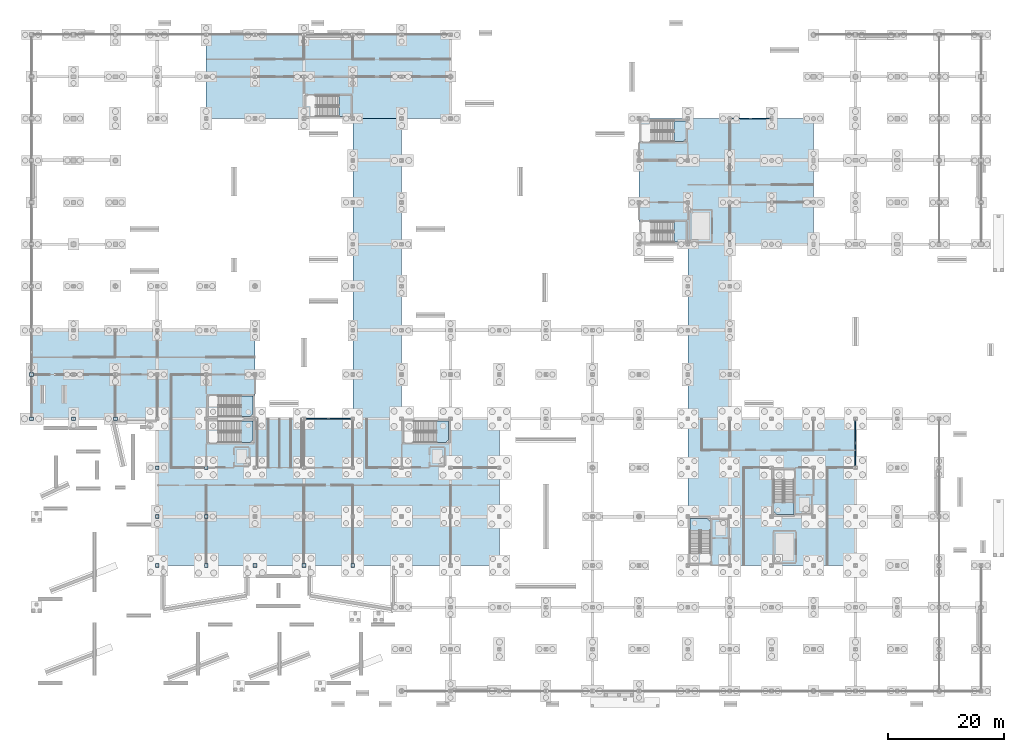
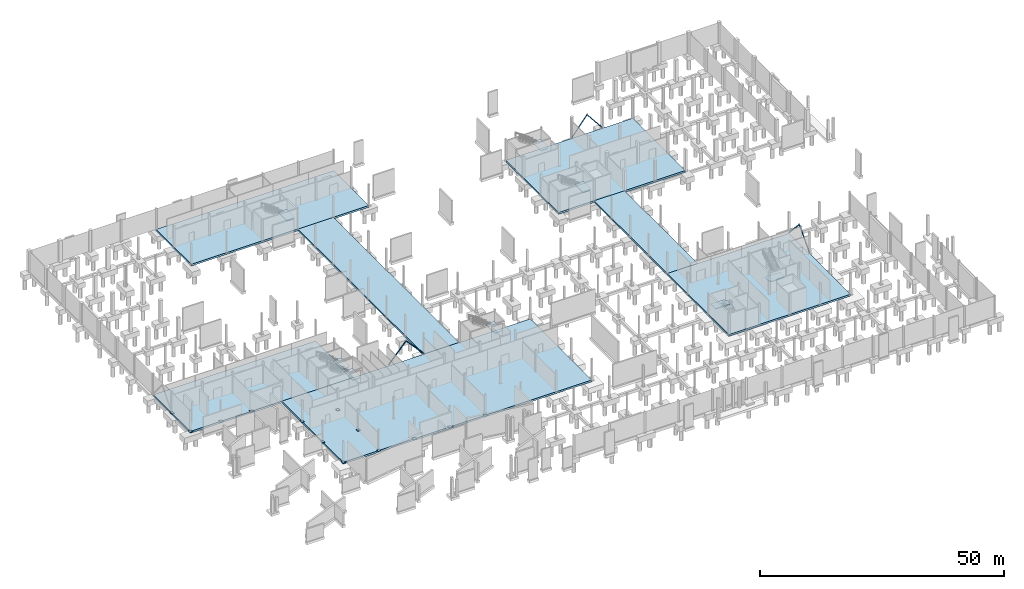
# One storey, part 33 of 61: 15 slabs, 13 plates, 6 members, 8 elements without a shape of their own.
"""IFC4 building model written with IfcOpenShell, lengths in metres."""

import ifcopenshell
import ifcopenshell.guid

model = None  # the IFC model being written
_history = None  # IfcOwnerHistory: only IFC2X3 demands one
_inside = {}  # id of a spatial element -> (the spatial element, [elements in it])
_under = {}  # id of a project, library or spatial element -> (it, [spatial elements below it])
_declared = {}  # id of a project -> (the project, [libraries it declares])
_typed = {}  # id of a type object -> (the type object, [elements of that type])
_made_of = {}  # id of a material, layer set ... -> (it, [elements and type objects made of it])


def new_model(schema):
    """Start an empty IFC model of exactly this schema.

    Asked for "IFC4X3", IfcOpenShell would pick the latest addendum, in which some entities
    have other attributes; the version numbers below select the first issue.
    IFC2X3 requires an IfcOwnerHistory on every rooted entity: one is made here for all.
    """
    global model, _history
    if schema == "IFC4X3":
        model = ifcopenshell.file(schema_version=(4, 3, 0, 0))
    else:
        model = ifcopenshell.file(schema=schema)
    _inside.clear()
    _under.clear()
    _declared.clear()
    _typed.clear()
    _made_of.clear()
    _history = None
    if model.schema == "IFC2X3":
        org = make("IfcOrganization", Name="unknown")
        user = make(
            "IfcPersonAndOrganization",
            ThePerson=make("IfcPerson", FamilyName="unknown"),
            TheOrganization=org,
        )
        app = make(
            "IfcApplication",
            ApplicationDeveloper=org,
            Version="unknown",
            ApplicationFullName="unknown",
            ApplicationIdentifier="unknown",
        )
        _history = make(
            "IfcOwnerHistory",
            OwningUser=user,
            OwningApplication=app,
            ChangeAction="ADDED",
            CreationDate=0,
        )
    return model


def make(cls, **values):
    """One entity of the class cls with the attributes given. An attribute that is None is left unset."""
    return model.create_entity(
        cls, **{name: value for name, value in values.items() if value is not None}
    )


def rooted(cls, **values):
    """An entity with a GlobalId (a new one), such as an element, a storey or a relation."""
    return make(cls, GlobalId=ifcopenshell.guid.new(), OwnerHistory=_history, **values)


def si_unit(unit_type, name, prefix=None):
    """IfcSIUnit, for example si_unit("LENGTHUNIT", "METRE", prefix="MILLI")."""
    return make("IfcSIUnit", UnitType=unit_type, Prefix=prefix, Name=name)


def assignment(units):
    """IfcUnitAssignment: the units of a project."""
    return None if units is None else make("IfcUnitAssignment", Units=units)


def point(xyz):
    """IfcCartesianPoint."""
    return None if xyz is None else make("IfcCartesianPoint", Coordinates=xyz)


def direction(xyz):
    """IfcDirection."""
    return None if xyz is None else make("IfcDirection", DirectionRatios=xyz)


def frame(location, z_axis=None, x_axis=None):
    """IfcAxis2Placement3D, a coordinate frame: its origin and axes. An axis left out is left unset."""
    return make(
        "IfcAxis2Placement3D",
        Location=point(location),
        Axis=direction(z_axis),
        RefDirection=direction(x_axis),
    )


def frame_2d(location, x_axis=None):
    """IfcAxis2Placement2D, a coordinate frame in the plane: its origin and x axis."""
    return make(
        "IfcAxis2Placement2D", Location=point(location), RefDirection=direction(x_axis)
    )


def origin():
    """The frame at (0, 0, 0) with its axes left unset."""
    return frame((0.0, 0.0, 0.0))


def origin_2d():
    """The frame at (0, 0) in the plane with its x axis left unset."""
    return frame_2d((0.0, 0.0))


def place(relative_to, where):
    """IfcLocalPlacement: puts the frame where relative to a parent placement (None: the world)."""
    return make(
        "IfcLocalPlacement", PlacementRelTo=relative_to, RelativePlacement=where
    )


def context(
    kind, dimensions, precision=None, world=None, true_north=None, identifier=None
):
    """IfcGeometricRepresentationContext, for example the 3D "Model" context."""
    return make(
        "IfcGeometricRepresentationContext",
        ContextIdentifier=identifier,
        ContextType=kind,
        CoordinateSpaceDimension=dimensions,
        Precision=precision,
        WorldCoordinateSystem=world,
        TrueNorth=true_north,
    )


def subcontext(parent, identifier, kind, view, scale=None):
    """IfcGeometricRepresentationSubContext, for example "Body" below "Model"."""
    return make(
        "IfcGeometricRepresentationSubContext",
        ContextIdentifier=identifier,
        ContextType=kind,
        ParentContext=parent,
        TargetScale=scale,
        TargetView=view,
    )


def project(units=None, contexts=None):
    """IfcProject with its units and contexts."""
    return rooted(
        "IfcProject",
        Name="project",
        RepresentationContexts=contexts,
        UnitsInContext=assignment(units),
    )


def spatial(cls, under=None, at=None, **own):
    """A site, building, storey or space (cls), placed at a placement, below another one or the project."""
    s = rooted(cls, ObjectPlacement=at, **own)
    if under is not None:
        _under.setdefault(under.id(), (under, []))[1].append(s)
    return s


def polyline(points):
    """IfcPolyline through the points."""
    return make("IfcPolyline", Points=[point(p) for p in points])


def profile(cls, at=None, kind="AREA", **sizes):
    """A parametric profile (cls). Its sizes go by their IFC names, for example OverallWidth=200.0."""
    return make(cls, ProfileType=kind, Position=at, **sizes)


def rectangle(**sizes):
    """IfcRectangleProfileDef."""
    return profile("IfcRectangleProfileDef", **sizes)


def hollow_circle(**sizes):
    """IfcCircleHollowProfileDef."""
    return profile("IfcCircleHollowProfileDef", **sizes)


def outline(outer, holes=None, kind="AREA"):
    """IfcArbitraryClosedProfileDef: a profile drawn as a closed curve; with holes, ...WithVoids."""
    if holes is None:
        return make("IfcArbitraryClosedProfileDef", ProfileType=kind, OuterCurve=outer)
    return make(
        "IfcArbitraryProfileDefWithVoids",
        ProfileType=kind,
        OuterCurve=outer,
        InnerCurves=holes,
    )


def extrude(swept, where, along, depth):
    """IfcExtrudedAreaSolid: the profile swept, set in the frame where, extruded along a direction by depth."""
    return make(
        "IfcExtrudedAreaSolid",
        SweptArea=swept,
        Position=where,
        ExtrudedDirection=direction(along),
        Depth=depth,
    )


def shape(context_of_items, identifier, shape_type, items):
    """IfcShapeRepresentation: the items that make up one representation, for example the "Body"."""
    return make(
        "IfcShapeRepresentation",
        ContextOfItems=context_of_items,
        RepresentationIdentifier=identifier,
        RepresentationType=shape_type,
        Items=items,
    )


def material(Name=None, Category=None):
    """IfcMaterial."""
    return make("IfcMaterial", Name=Name, Category=Category)


def layer(
    of_material, thickness, ventilated=None, Name=None, Category=None, Priority=None
):
    """IfcMaterialLayer: one layer of a wall or slab, of a material (None: an air gap)."""
    return make(
        "IfcMaterialLayer",
        Material=of_material,
        LayerThickness=thickness,
        IsVentilated=ventilated,
        Name=Name,
        Category=Category,
        Priority=Priority,
    )


def layer_set(layers, Name=None):
    """IfcMaterialLayerSet."""
    return make("IfcMaterialLayerSet", MaterialLayers=layers, LayerSetName=Name)


def material_profile(
    of_material, cross_section, Name=None, Category=None, Priority=None
):
    """IfcMaterialProfile: a cross section and its material."""
    return make(
        "IfcMaterialProfile",
        Name=Name,
        Material=of_material,
        Profile=cross_section,
        Priority=Priority,
        Category=Category,
    )


def profile_set(profiles, Name=None, composite=None):
    """IfcMaterialProfileSet."""
    return make(
        "IfcMaterialProfileSet",
        Name=Name,
        MaterialProfiles=profiles,
        CompositeProfile=composite,
    )


def made_of(thing, what):
    """Note that an element or type object is made of a material, layer set ...; save() writes the relation."""
    if what is not None:
        _made_of.setdefault(what.id(), (what, []))[1].append(thing)
    return thing


def type_object(cls, material=None, **own):
    """A type object (cls), such as IfcWallType, which elements share."""
    return made_of(rooted(cls, **own), material)


def element(
    cls,
    number,
    at=None,
    inside=None,
    cuts=None,
    type_object=None,
    material=None,
    context=None,
    identifier="Body",
    shape_type=None,
    held_by="IfcProductDefinitionShape",
    body=None,
    shapes=None,
    **own,
):
    """One element of the class cls, such as IfcWall. Its Tag is "e" and its number.

    at: its placement. inside: the storey or other place that contains it. cuts: it is an
    opening in that element (IfcRelVoidsElement). A single representation is given by context,
    identifier, shape_type and body (its items); several are given by shapes. held_by: the class
    of the entity that holds the representations. save() writes the other relations.
    """
    e = rooted(cls, Tag="e%d" % number, ObjectPlacement=at, **own)
    if body is not None:
        shapes = [shape(context, identifier, shape_type, body)]
    if shapes is not None:
        e.Representation = make(held_by, Representations=shapes)
    if inside is not None:
        _inside.setdefault(inside.id(), (inside, []))[1].append(e)
    if cuts is not None:
        rooted(
            "IfcRelVoidsElement", RelatingBuildingElement=cuts, RelatedOpeningElement=e
        )
    if type_object is not None:
        _typed.setdefault(type_object.id(), (type_object, []))[1].append(e)
    return made_of(e, material)


def aggregate(whole, parts):
    """IfcRelAggregates: a whole, such as a stair, and the parts it consists of."""
    return rooted("IfcRelAggregates", RelatingObject=whole, RelatedObjects=parts)


def save(model, path):
    """Write the relations noted so far, then the file.

    IfcRelAggregates (storeys below a building ...), IfcRelContainedInSpatialStructure (elements
    in a storey), IfcRelDefinesByType, IfcRelAssociatesMaterial and IfcRelDeclares: one each for
    every whole, place, type object, material and project.
    """
    for whole, parts in _under.values():
        aggregate(whole, parts)
    for where, things in _inside.values():
        rooted(
            "IfcRelContainedInSpatialStructure",
            RelatedElements=things,
            RelatingStructure=where,
        )
    for kind, things in _typed.values():
        rooted("IfcRelDefinesByType", RelatedObjects=things, RelatingType=kind)
    for what, things in _made_of.values():
        rooted("IfcRelAssociatesMaterial", RelatedObjects=things, RelatingMaterial=what)
    for by, libraries in _declared.values():
        rooted("IfcRelDeclares", RelatingContext=by, RelatedDefinitions=libraries)
    model.write(path)


model = new_model("IFC4")

# Units and contexts
model_context = context("Model", 3, precision=1e-05, world=origin(), true_north=direction((0.0, 1.0)))
body_context = subcontext(model_context, "Body", "Model", "MODEL_VIEW")
ifc_project = project(units=[si_unit("LENGTHUNIT", "METRE"), si_unit("AREAUNIT", "SQUARE_METRE"), si_unit("VOLUMEUNIT", "CUBIC_METRE"), si_unit("PLANEANGLEUNIT", "RADIAN"), si_unit("MASSUNIT", "GRAM", prefix="KILO")], contexts=[model_context])

# Site, building, storey
site_placement = place(None, origin())
site = spatial("IfcSite", under=ifc_project, at=site_placement, CompositionType="ELEMENT")
building_placement = place(site_placement, origin())
building = spatial("IfcBuilding", under=site, at=building_placement, Name="Calvrana Isthmian Art Gallery", CompositionType="ELEMENT")
storey_placement = place(building_placement, frame((0.0, 0.0, -5.39990234375)))
storey = spatial("IfcBuildingStorey", under=building, at=storey_placement, Name="B1", CompositionType="ELEMENT", Elevation=-5.39990234375)

# Members
ifc_material_1 = material(Name="Steel ASTM A500 Gr C", Category="steel")
ifc_material_profile_1 = material_profile(ifc_material_1, hollow_circle(Radius=0.109619140625, WallThickness=0.0126953125, at=origin_2d()), Name="HSS219.1X12.7")
ifc_profile_set_1 = profile_set([ifc_material_profile_1], Name="Steel ASTM A500 Gr C")
member_type_1 = type_object("IfcMemberType", Name="MB-BR-CHS219", PredefinedType="BRACE", material=ifc_profile_set_1)
member_1_placement = place(storey_placement, frame((120.0, 98.39990234375, 0.14990234375), z_axis=(0.623941386393, 0.0, 0.781471142363), x_axis=(0.0, 1.0, 0.0)))
element("IfcMember", 1, at=member_1_placement, inside=storey, type_object=member_type_1, Name="Chevron lateral brace B1-12A", PredefinedType="BRACE", context=body_context, shape_type="SweptSolid", body=[
    extrude(hollow_circle(Radius=0.109619140625, WallThickness=0.0126953125, at=origin_2d()), origin(), (0.0, 0.0, 1.0), 5.77001953125),
])
member_2_placement = place(storey_placement, frame((127.199951171875, 98.39990234375, 0.14990234375), z_axis=(-0.623915545194, 0.0, 0.781491773767), x_axis=(0.0, -1.0, 0.0)))
element("IfcMember", 2, at=member_2_placement, inside=storey, type_object=member_type_1, Name="Chevron lateral brace B1-12B", PredefinedType="BRACE", context=body_context, shape_type="SweptSolid", body=[
    extrude(hollow_circle(Radius=0.109619140625, WallThickness=0.0126953125, at=origin_2d()), origin(), (0.0, 0.0, 1.0), 5.769775390625),
])
ifc_material_profile_2 = material_profile(ifc_material_1, hollow_circle(Radius=0.136474609375, WallThickness=0.0126953125, at=origin_2d()), Name="HSS273.1X12.7")
ifc_profile_set_2 = profile_set([ifc_material_profile_2], Name="Steel ASTM A500 Gr C")
member_type_2 = type_object("IfcMemberType", Name="MB-BR-CHS273", PredefinedType="BRACE", material=ifc_profile_set_2)
for number, where, z_axis, x_axis, name in (
    (3, (46.800048828125, 46.800048828125, 0.14990234375), (0.669960332586, 0.0, 0.742396897058), (0.0, 1.0, 0.0), "Chevron lateral brace B1-1A"),
    (4, (55.199951171875, 46.800048828125, 0.14990234375), (-0.669960332586, 0.0, 0.742396897058), (0.0, -1.0, 0.0), "Chevron lateral brace B1-1B"),
):
    element("IfcMember", number, at=place(storey_placement, frame(where, z_axis=z_axis, x_axis=x_axis)), inside=storey, type_object=member_type_2, Name=name, PredefinedType="BRACE", context=body_context, shape_type="SweptSolid", body=[
        extrude(hollow_circle(Radius=0.136474609375, WallThickness=0.0126953125, at=origin_2d()), origin(), (0.0, 0.0, 1.0), 6.26904296875),
    ])
for number, where, z_axis, x_axis, name in (
    (5, (141.60009765625, 38.39990234375, 0.14990234375), (0.0, 0.675959449603, 0.73693881869), (-1.0, 0.0, 0.0), "Chevron lateral brace B1-6A"),
    (6, (141.60009765625, 46.800048828125, 0.14990234375), (0.0, -0.675938110735, 0.736958391265), (1.0, 0.0, 0.0), "Chevron lateral brace B1-6B"),
):
    element("IfcMember", number, at=place(storey_placement, frame(where, z_axis=z_axis, x_axis=x_axis)), inside=storey, type_object=member_type_2, Name=name, PredefinedType="BRACE", context=body_context, shape_type="SweptSolid", body=[
        extrude(hollow_circle(Radius=0.136474609375, WallThickness=0.0126953125, at=origin_2d()), origin(), (0.0, 0.0, 1.0), 6.213623046875),
    ])

# Plates
ifc_material_2 = material(Name="Steel ASTM A572 Gr 50", Category="steel")
ifc_layer_1 = layer(ifc_material_2, 0.0380859375, Name="Steel ASTM A572 Gr 50")
ifc_layer_set_1 = layer_set([ifc_layer_1], Name="Steel ASTM A572 Gr 50")
plate_type_1 = type_object("IfcPlateType", Name="PL-BASE-38", PredefinedType="USERDEFINED", material=ifc_layer_set_1)
for number, where, z_axis, x_axis, name in (
    (7, (0.0, 46.800048828125, -0.000244140625), (0.0, 0.0, 1.0), (1.0, 0.0, 0.0), "Base plate 01/G"),
    (8, (0.0, 54.39990234375, -0.000244140625), (0.0, 0.0, 1.0), (1.0, 0.0, 0.0), "Base plate 01/H"),
    (9, (7.199951171875, 46.800048828125, -0.000244140625), (0.0, 0.0, 1.0), (1.0, 0.0, 0.0), "Base plate 02/G"),
    (10, (14.39990234375, 46.800048828125, -0.000244140625), (0.0, 0.0, 1.0), (1.0, 0.0, 0.0), "Base plate 03/G"),
):
    element("IfcPlate", number, at=place(storey_placement, frame(where, z_axis=z_axis, x_axis=x_axis)), inside=storey, type_object=plate_type_1, Name=name, ObjectType="BASE PLATE", PredefinedType="USERDEFINED", context=body_context, shape_type="SweptSolid", body=[
        extrude(rectangle(XDim=0.64990234375, YDim=0.64990234375, at=origin_2d()), origin(), (0.0, 0.0, 1.0), 0.0380859375),
    ])
ifc_layer_2 = layer(ifc_material_2, 0.044921875, Name="Steel ASTM A572 Gr 50")
ifc_layer_set_2 = layer_set([ifc_layer_2], Name="Steel ASTM A572 Gr 50")
plate_type_2 = type_object("IfcPlateType", Name="PL-BASE-45", PredefinedType="USERDEFINED", material=ifc_layer_set_2)
for number, where, z_axis, x_axis, name in (
    (11, (21.60009765625, 21.60009765625, 0.0), (0.0, 0.0, 1.0), (1.0, 0.0, 0.0), "Base plate 04/D"),
    (12, (21.60009765625, 30.0, 0.0), (0.0, 0.0, 1.0), (1.0, 0.0, 0.0), "Base plate 04/E"),
    (13, (21.60009765625, 38.39990234375, 0.0), (0.0, 0.0, 1.0), (1.0, 0.0, 0.0), "Base plate 04/F"),
    (14, (30.0, 21.60009765625, 0.0), (0.0, 0.0, 1.0), (1.0, 0.0, 0.0), "Base plate 05/D"),
    (15, (30.0, 30.0, 0.0), (0.0, 0.0, 1.0), (1.0, 0.0, 0.0), "Base plate 05/E"),
    (16, (30.0, 38.39990234375, 0.0), (0.0, 0.0, 1.0), (1.0, 0.0, 0.0), "Base plate 05/F"),
    (17, (38.39990234375, 21.60009765625, 0.0), (0.0, 0.0, 1.0), (1.0, 0.0, 0.0), "Base plate 06/D"),
    (18, (46.800048828125, 21.60009765625, 0.0), (0.0, 0.0, 1.0), (1.0, 0.0, 0.0), "Base plate 07/D"),
    (19, (55.199951171875, 21.60009765625, 0.0), (0.0, 0.0, 1.0), (1.0, 0.0, 0.0), "Base plate 08/D"),
):
    element("IfcPlate", number, at=place(storey_placement, frame(where, z_axis=z_axis, x_axis=x_axis)), inside=storey, type_object=plate_type_2, Name=name, ObjectType="BASE PLATE", PredefinedType="USERDEFINED", context=body_context, shape_type="SweptSolid", body=[
        extrude(rectangle(XDim=0.64990234375, YDim=0.64990234375, at=origin_2d()), origin(), (0.0, 0.0, 1.0), 0.044921875),
    ])

# Slabs
ifc_material_3 = material(Name="Concrete C35/45", Category="concrete")
ifc_layer_3 = layer(ifc_material_3, 0.449951171875, Name="Concrete C35/45")
ifc_layer_set_3 = layer_set([ifc_layer_3], Name="Concrete C35/45")
slab_type_1 = type_object("IfcSlabType", Name="SLB-BASE-450", PredefinedType="BASESLAB", material=ifc_layer_set_3)
slab_1_placement = place(storey_placement, frame((0.0, 0.0, -0.4501953125)))
element("IfcSlab", 20, at=slab_1_placement, inside=storey, type_object=slab_type_1, Name="Floor slab V1_B1", PredefinedType="BASESLAB", context=body_context, shape_type="SweptSolid", body=[
    extrude(outline(polyline([(21.60009765625, 21.60009765625), (80.39990234375, 21.60009765625), (80.39990234375, 46.800048828125), (21.60009765625, 46.800048828125), (21.60009765625, 21.60009765625)])), origin(), (0.0, 0.0, 1.0), 0.4501953125),
])
slab_2_placement = place(storey_placement, frame((0.0, 0.0, -0.4501953125)))
element("IfcSlab", 21, at=slab_2_placement, inside=storey, type_object=slab_type_1, Name="Floor slab V3_B1", PredefinedType="BASESLAB", context=body_context, shape_type="SweptSolid", body=[
    extrude(outline(polyline([(0.0, 46.800048828125), (38.39990234375, 46.800048828125), (38.39990234375, 62.0), (0.0, 62.0), (0.0, 46.800048828125)])), origin(), (0.0, 0.0, 1.0), 0.4501953125),
])
slab_3_placement = place(storey_placement, frame((0.0, 0.0, -0.4501953125)))
element("IfcSlab", 22, at=slab_3_placement, inside=storey, type_object=slab_type_1, Name="Floor slab V4_B1", PredefinedType="BASESLAB", context=body_context, shape_type="SweptSolid", body=[
    extrude(outline(polyline([(112.800048828125, 21.60009765625), (141.60009765625, 21.60009765625), (141.60009765625, 46.800048828125), (112.800048828125, 46.800048828125), (112.800048828125, 21.60009765625)])), origin(), (0.0, 0.0, 1.0), 0.4501953125),
])
slab_4_placement = place(storey_placement, frame((0.0, 0.0, -0.4501953125)))
element("IfcSlab", 23, at=slab_4_placement, inside=storey, type_object=slab_type_1, Name="Floor slab V5L_B1", PredefinedType="BASESLAB", context=body_context, shape_type="SweptSolid", body=[
    extrude(outline(polyline([(112.800048828125, 46.800048828125), (120.0, 46.800048828125), (120.0, 76.800048828125), (112.800048828125, 76.800048828125), (112.800048828125, 46.800048828125)])), origin(), (0.0, 0.0, 1.0), 0.4501953125),
])
slab_5_placement = place(storey_placement, frame((0.0, 0.0, -0.4501953125)))
element("IfcSlab", 24, at=slab_5_placement, inside=storey, type_object=slab_type_1, Name="Floor slab V5_B1", PredefinedType="BASESLAB", context=body_context, shape_type="SweptSolid", body=[
    extrude(outline(polyline([(104.39990234375, 76.800048828125), (134.39990234375, 76.800048828125), (134.39990234375, 98.39990234375), (104.39990234375, 98.39990234375), (104.39990234375, 76.800048828125)])), origin(), (0.0, 0.0, 1.0), 0.4501953125),
])
slab_6_placement = place(storey_placement, frame((0.0, 0.0, -0.4501953125)))
element("IfcSlab", 25, at=slab_6_placement, inside=storey, type_object=slab_type_1, Name="Floor slab V6L_B1", PredefinedType="BASESLAB", context=body_context, shape_type="SweptSolid", body=[
    extrude(outline(polyline([(55.199951171875, 46.800048828125), (63.60009765625, 46.800048828125), (63.60009765625, 98.39990234375), (55.199951171875, 98.39990234375), (55.199951171875, 46.800048828125)])), origin(), (0.0, 0.0, 1.0), 0.4501953125),
])
slab_7_placement = place(storey_placement, frame((0.0, 0.0, -0.4501953125)))
element("IfcSlab", 26, at=slab_7_placement, inside=storey, type_object=slab_type_1, Name="Floor slab V6_B1", PredefinedType="BASESLAB", context=body_context, shape_type="SweptSolid", body=[
    extrude(outline(polyline([(30.0, 98.39990234375), (72.0, 98.39990234375), (72.0, 112.800048828125), (30.0, 112.800048828125), (30.0, 98.39990234375)])), origin(), (0.0, 0.0, 1.0), 0.4501953125),
])

# Stair, slab
ifc_material_4 = material(Name="Concrete C40/50", Category="concrete")
stair_type_1 = type_object("IfcStairType", Name="STR-HT-540W", PredefinedType="HALF_TURN_STAIR", material=ifc_material_4)
stair_1_placement = place(storey_placement, origin())
stair_1 = element("IfcStair", 27, at=stair_1_placement, inside=storey, type_object=stair_type_1, Name="Protected exit stair ST-1 (B1)", PredefinedType="HALF_TURN_STAIR")
ifc_layer_4 = layer(ifc_material_4, 0.199951171875, Name="Concrete C40/50")
ifc_layer_set_4 = layer_set([ifc_layer_4], Name="Concrete C40/50")
slab_type_2 = type_object("IfcSlabType", Name="SLB-LAND-200", PredefinedType="LANDING", material=ifc_layer_set_4)
slab_8_placement = place(storey_placement, frame((0.0, 0.0, 2.5)))
slab_8 = element("IfcSlab", 28, at=slab_8_placement, type_object=slab_type_2, Name="ST-1 landing 1", PredefinedType="LANDING", context=body_context, shape_type="SweptSolid", body=[
    extrude(outline(polyline([(36.02001953125, 42.7099609375), (37.5400390625, 42.7099609375), (38.06005859375, 43.22998046875), (38.06005859375, 46.429931640625), (36.02001953125, 46.429931640625), (36.02001953125, 42.7099609375)])), origin(), (0.0, 0.0, 1.0), 0.199951171875),
])
aggregate(stair_1, [slab_8])

stair_2_placement = place(storey_placement, origin())
stair_2 = element("IfcStair", 29, at=stair_2_placement, inside=storey, type_object=stair_type_1, Name="Protected exit stair ST-2 (B1)", PredefinedType="HALF_TURN_STAIR")
slab_9_placement = place(storey_placement, frame((0.0, 0.0, 2.5)))
slab_9 = element("IfcSlab", 30, at=slab_9_placement, type_object=slab_type_2, Name="ST-2 landing 1", PredefinedType="LANDING", context=body_context, shape_type="SweptSolid", body=[
    extrude(outline(polyline([(69.6201171875, 42.7099609375), (71.139892578125, 42.7099609375), (71.659912109375, 43.22998046875), (71.659912109375, 46.429931640625), (69.6201171875, 46.429931640625), (69.6201171875, 42.7099609375)])), origin(), (0.0, 0.0, 1.0), 0.199951171875),
])
aggregate(stair_2, [slab_9])

stair_type_2 = type_object("IfcStairType", Name="STR-HT-540", PredefinedType="HALF_TURN_STAIR", material=ifc_material_4)
stair_3_placement = place(storey_placement, origin())
stair_3 = element("IfcStair", 31, at=stair_3_placement, inside=storey, type_object=stair_type_2, Name="Protected exit stair ST-3 (B1)", PredefinedType="HALF_TURN_STAIR")
slab_10_placement = place(storey_placement, frame((0.0, 0.0, 2.5)))
slab_10 = element("IfcSlab", 32, at=slab_10_placement, type_object=slab_type_2, Name="ST-3 landing 1", PredefinedType="LANDING", context=body_context, shape_type="SweptSolid", body=[
    extrude(outline(polyline([(116.68994140625, 27.6201171875), (116.68994140625, 29.139892578125), (116.169921875, 29.659912109375), (113.169921875, 29.659912109375), (113.169921875, 27.6201171875), (116.68994140625, 27.6201171875)])), origin(), (0.0, 0.0, 1.0), 0.199951171875),
])
aggregate(stair_3, [slab_10])

stair_4_placement = place(storey_placement, origin())
stair_4 = element("IfcStair", 33, at=stair_4_placement, inside=storey, type_object=stair_type_2, Name="Protected exit stair ST-4 (B1)", PredefinedType="HALF_TURN_STAIR")
slab_11_placement = place(storey_placement, frame((0.0, 0.0, 2.5)))
slab_11 = element("IfcSlab", 34, at=slab_11_placement, type_object=slab_type_2, Name="ST-4 landing 1", PredefinedType="LANDING", context=body_context, shape_type="SweptSolid", body=[
    extrude(outline(polyline([(127.550048828125, 32.3798828125), (127.550048828125, 30.860107421875), (128.070068359375, 30.340087890625), (131.070068359375, 30.340087890625), (131.070068359375, 32.3798828125), (127.550048828125, 32.3798828125)])), origin(), (0.0, 0.0, 1.0), 0.199951171875),
])
aggregate(stair_4, [slab_11])

stair_5_placement = place(storey_placement, origin())
stair_5 = element("IfcStair", 35, at=stair_5_placement, inside=storey, type_object=stair_type_2, Name="Protected exit stair ST-5 (B1)", PredefinedType="HALF_TURN_STAIR")
slab_12_placement = place(storey_placement, frame((0.0, 0.0, 2.5)))
slab_12 = element("IfcSlab", 36, at=slab_12_placement, type_object=slab_type_2, Name="ST-5 landing 1", PredefinedType="LANDING", context=body_context, shape_type="SweptSolid", body=[
    extrude(outline(polyline([(110.419921875, 77.14990234375), (111.93994140625, 77.14990234375), (112.4599609375, 77.669921875), (112.4599609375, 80.669921875), (110.419921875, 80.669921875), (110.419921875, 77.14990234375)])), origin(), (0.0, 0.0, 1.0), 0.199951171875),
])
aggregate(stair_5, [slab_12])

stair_type_3 = type_object("IfcStairType", Name="STR-TSR-540", PredefinedType="TWO_STRAIGHT_RUN_STAIR", material=ifc_material_4)
stair_6_placement = place(storey_placement, origin())
stair_6 = element("IfcStair", 37, at=stair_6_placement, inside=storey, type_object=stair_type_3, Name="Protected exit stair ST-6 (B1)", PredefinedType="TWO_STRAIGHT_RUN_STAIR")
slab_13_placement = place(storey_placement, frame((0.0, 0.0, 2.5)))
slab_13 = element("IfcSlab", 38, at=slab_13_placement, type_object=slab_type_2, Name="ST-6 landing 1", PredefinedType="LANDING", context=body_context, shape_type="SweptSolid", body=[
    extrude(outline(polyline([(52.820068359375, 98.75), (54.340087890625, 98.75), (54.860107421875, 99.27001953125), (54.860107421875, 102.35009765625), (52.820068359375, 102.35009765625), (52.820068359375, 98.75)])), origin(), (0.0, 0.0, 1.0), 0.199951171875),
])
aggregate(stair_6, [slab_13])

stair_7_placement = place(storey_placement, origin())
stair_7 = element("IfcStair", 39, at=stair_7_placement, inside=storey, type_object=stair_type_3, Name="Protected exit stair ST-7 (B1)", PredefinedType="TWO_STRAIGHT_RUN_STAIR")
slab_14_placement = place(storey_placement, frame((0.0, 0.0, 2.5)))
slab_14 = element("IfcSlab", 40, at=slab_14_placement, type_object=slab_type_2, Name="ST-7 landing 1", PredefinedType="LANDING", context=body_context, shape_type="SweptSolid", body=[
    extrude(outline(polyline([(36.02001953125, 47.14990234375), (37.5400390625, 47.14990234375), (38.06005859375, 47.669921875), (38.06005859375, 50.75), (36.02001953125, 50.75), (36.02001953125, 47.14990234375)])), origin(), (0.0, 0.0, 1.0), 0.199951171875),
])
aggregate(stair_7, [slab_14])

stair_8_placement = place(storey_placement, origin())
stair_8 = element("IfcStair", 41, at=stair_8_placement, inside=storey, type_object=stair_type_3, Name="Protected exit stair ST-8 (B1)", PredefinedType="TWO_STRAIGHT_RUN_STAIR")
slab_15_placement = place(storey_placement, frame((0.0, 0.0, 2.5)))
slab_15 = element("IfcSlab", 42, at=slab_15_placement, type_object=slab_type_2, Name="ST-8 landing 1", PredefinedType="LANDING", context=body_context, shape_type="SweptSolid", body=[
    extrude(outline(polyline([(110.419921875, 94.429931640625), (111.93994140625, 94.429931640625), (112.4599609375, 94.949951171875), (112.4599609375, 98.030029296875), (110.419921875, 98.030029296875), (110.419921875, 94.429931640625)])), origin(), (0.0, 0.0, 1.0), 0.199951171875),
])
aggregate(stair_8, [slab_15])

save(model, "model.ifc")
